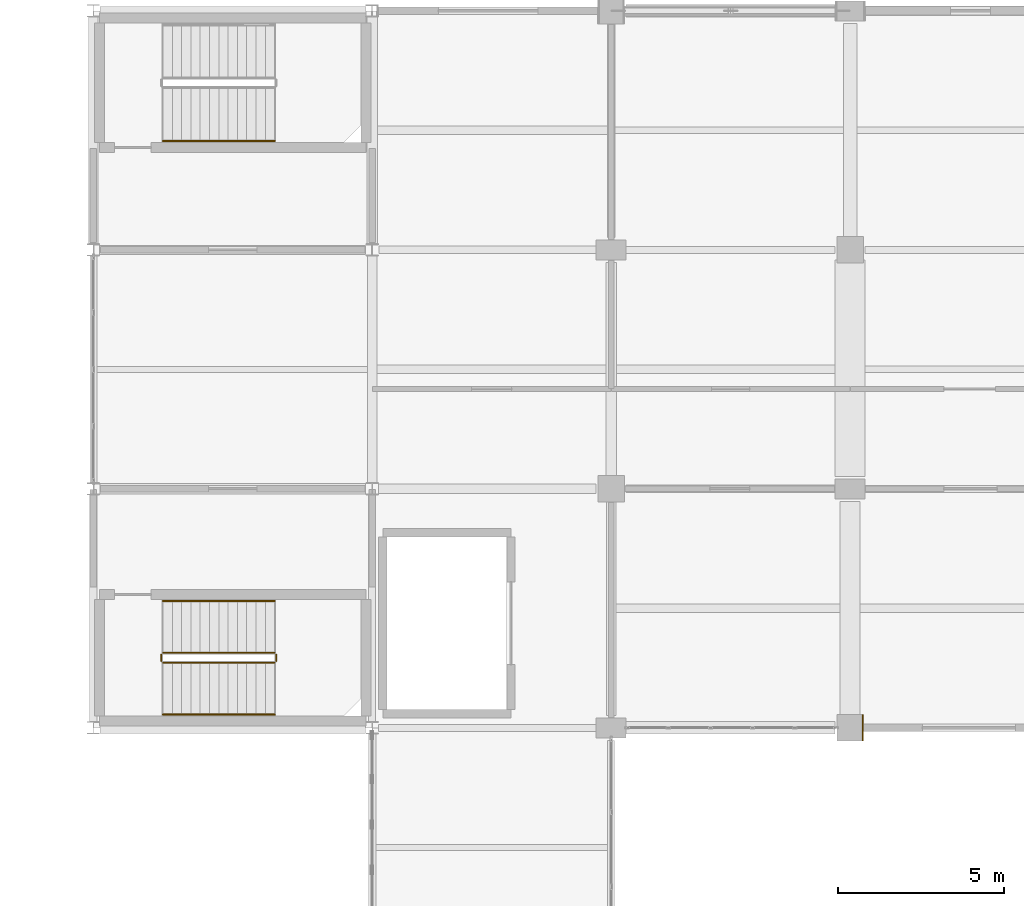
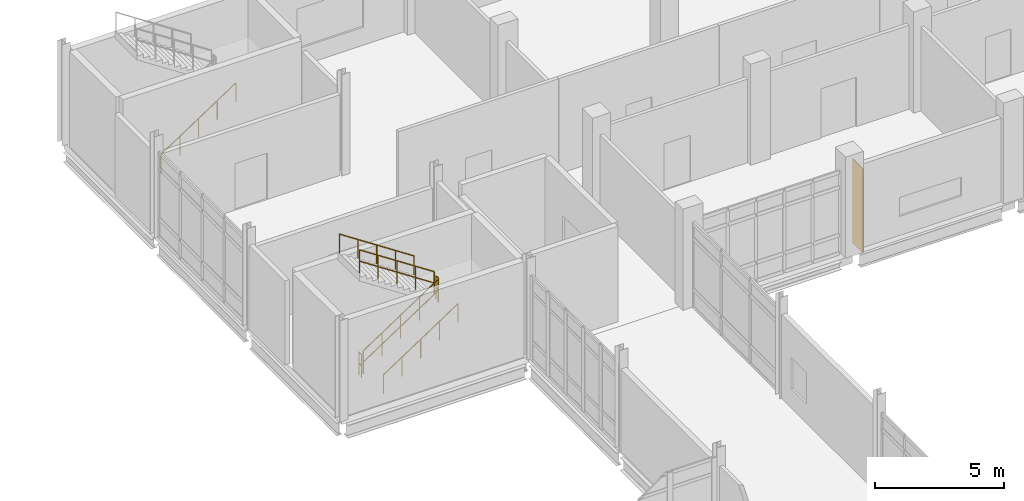
# One storey, part 180 of 186: 7 railings, 1 covering.
"""IFC4 building model written with IfcOpenShell, lengths in metres."""

from ifc_helpers import new_model, si_unit, direction, frame, origin, origin_2d, place, context, subcontext, project, spatial, polyline, circle, outline, extrude, material, layer, layer_set, type_object, element, save


model = new_model("IFC4")

# Units and contexts
model_context = context("Model", 3, precision=1e-05, world=origin(), true_north=direction((0.0, 1.0)))
body_context = subcontext(model_context, "Body", "Model", "MODEL_VIEW")
ifc_project = project(units=[si_unit("LENGTHUNIT", "METRE"), si_unit("AREAUNIT", "SQUARE_METRE"), si_unit("VOLUMEUNIT", "CUBIC_METRE"), si_unit("PLANEANGLEUNIT", "RADIAN"), si_unit("MASSUNIT", "GRAM", prefix="KILO")], contexts=[model_context])

# Site, building, storey
site_placement = place(None, origin())
site = spatial("IfcSite", under=ifc_project, at=site_placement, CompositionType="ELEMENT")
building_placement = place(site_placement, origin())
building = spatial("IfcBuilding", under=site, at=building_placement, Name="Calvrana Isthmian Art Gallery", CompositionType="ELEMENT")
storey_placement = place(building_placement, frame((0.0, 0.0, 5.39990234375)))
storey = spatial("IfcBuildingStorey", under=building, at=storey_placement, Name="L01", CompositionType="ELEMENT", Elevation=5.39990234375)

# Covering
ifc_material_1 = material(Name="Polychrome glazed terracotta", Category="masonry")
ifc_layer = layer(ifc_material_1, 0.0400390625, Name="Polychrome glazed terracotta")
ifc_layer_set = layer_set([ifc_layer], Name="Polychrome glazed terracotta")
covering_type = type_object("IfcCoveringType", Name="COV-CLAD-TERRA", PredefinedType="CLADDING", material=ifc_layer_set)
covering_placement = place(storey_placement, origin())
element("IfcCovering", 1, at=covering_placement, inside=storey, type_object=covering_type, Name="Column pocket weather closure L01-16-10-W", PredefinedType="CLADDING", context=body_context, shape_type="SweptSolid", body=[
    extrude(outline(polyline([(127.56005859375, 76.405029296875), (127.60009765625, 76.405029296875), (127.60009765625, 77.195068359375), (127.56005859375, 77.195068359375), (127.56005859375, 76.405029296875)])), origin(), (0.0, 0.0, 1.0), 3.97119140625),
])

# Railings
ifc_material_2 = material(Name="Stainless steel 316", Category="steel")
railing_type_1 = type_object("IfcRailingType", Name="RL-GUARD-1120", PredefinedType="BALUSTRADE", material=ifc_material_2)
railing_1_placement = place(storey_placement, frame((106.5, 78.760009765625, 0.184814453125)))
element("IfcRailing", 2, at=railing_1_placement, inside=storey, type_object=railing_type_1, Name="Stair ST-5 guard L01-1", PredefinedType="BALUSTRADE", context=body_context, shape_type="SweptSolid", body=[
    extrude(circle(Radius=0.02392578125, at=origin_2d()), frame((0.0, 0.0, 1.09619140625), z_axis=(0.834876476806, 0.0, 0.550437342915), x_axis=(0.0, 1.0, 0.0)), (0.0, 0.0, 1.0), 4.024658203125),
    extrude(circle(Radius=0.02392578125, at=origin_2d()), frame((0.0, 0.0, 0.56005859375), z_axis=(0.834876476806, 0.0, 0.550437342915), x_axis=(0.0, 1.0, 0.0)), (0.0, 0.0, 1.0), 4.024658203125),
    extrude(circle(Radius=0.02099609375, at=origin_2d()), origin(), (0.0, 0.0, 1.0), 1.072021484375),
    extrude(circle(Radius=0.02099609375, at=origin_2d()), frame((0.840087890625, 0.0, 0.5537109375)), (0.0, 0.0, 1.0), 1.072021484375),
    extrude(circle(Radius=0.02099609375, at=origin_2d()), frame((1.68017578125, 0.0, 1.107666015625)), (0.0, 0.0, 1.0), 1.072021484375),
    extrude(circle(Radius=0.02099609375, at=origin_2d()), frame((2.52001953125, 0.0, 1.66162109375)), (0.0, 0.0, 1.0), 1.072021484375),
    extrude(circle(Radius=0.02099609375, at=origin_2d()), frame((3.360107421875, 0.0, 2.21533203125)), (0.0, 0.0, 1.0), 1.072021484375),
])
railing_2_placement = place(storey_placement, frame((109.909912109375, 78.81005859375, 2.400146484375)))
element("IfcRailing", 3, at=railing_2_placement, inside=storey, type_object=railing_type_1, Name="Stair ST-5 guard L01-2", PredefinedType="BALUSTRADE", context=body_context, shape_type="SweptSolid", body=[
    extrude(circle(Radius=0.02392578125, at=origin_2d()), frame((0.0, 0.0, 1.09619140625), z_axis=(0.0, 1.0, 0.0), x_axis=(-1.0, 0.0, 0.0)), (0.0, 0.0, 1.0), 0.199951171875),
    extrude(circle(Radius=0.02392578125, at=origin_2d()), frame((0.0, 0.0, 0.56005859375), z_axis=(0.0, 1.0, 0.0), x_axis=(-1.0, 0.0, 0.0)), (0.0, 0.0, 1.0), 0.199951171875),
    extrude(circle(Radius=0.02099609375, at=origin_2d()), origin(), (0.0, 0.0, 1.0), 1.072021484375),
    extrude(circle(Radius=0.02099609375, at=origin_2d()), frame((0.0, 0.199951171875, 0.0)), (0.0, 0.0, 1.0), 1.072021484375),
])
railing_3_placement = place(storey_placement, frame((109.860107421875, 79.06005859375, 2.584716796875)))
element("IfcRailing", 4, at=railing_3_placement, inside=storey, type_object=railing_type_1, Name="Stair ST-5 guard L01-3", PredefinedType="BALUSTRADE", context=body_context, shape_type="SweptSolid", body=[
    extrude(circle(Radius=0.02392578125, at=origin_2d()), frame((0.0, 0.0, 1.09619140625), z_axis=(-0.834876476806, 0.0, 0.550437342915), x_axis=(0.0, -1.0, 0.0)), (0.0, 0.0, 1.0), 4.024658203125),
    extrude(circle(Radius=0.02392578125, at=origin_2d()), frame((0.0, 0.0, 0.56005859375), z_axis=(-0.834876476806, 0.0, 0.550437342915), x_axis=(0.0, -1.0, 0.0)), (0.0, 0.0, 1.0), 4.024658203125),
    extrude(circle(Radius=0.02099609375, at=origin_2d()), origin(), (0.0, 0.0, 1.0), 1.072021484375),
    extrude(circle(Radius=0.02099609375, at=origin_2d()), frame((-0.840087890625, 0.0, 0.5537109375)), (0.0, 0.0, 1.0), 1.072021484375),
    extrude(circle(Radius=0.02099609375, at=origin_2d()), frame((-1.68017578125, 0.0, 1.107666015625)), (0.0, 0.0, 1.0), 1.072021484375),
    extrude(circle(Radius=0.02099609375, at=origin_2d()), frame((-2.52001953125, 0.0, 1.66162109375)), (0.0, 0.0, 1.0), 1.072021484375),
    extrude(circle(Radius=0.02099609375, at=origin_2d()), frame((-3.360107421875, 0.0, 2.21533203125)), (0.0, 0.0, 1.0), 1.072021484375),
])
railing_4_placement = place(storey_placement, frame((106.449951171875, 78.81005859375, 0.0)))
element("IfcRailing", 5, at=railing_4_placement, inside=storey, type_object=railing_type_1, Name="Stair ST-5 guard L01-4", PredefinedType="BALUSTRADE", context=body_context, shape_type="SweptSolid", body=[
    extrude(circle(Radius=0.02392578125, at=origin_2d()), frame((0.0, 0.0, 1.09619140625), z_axis=(0.0, 1.0, 0.0), x_axis=(-1.0, 0.0, 0.0)), (0.0, 0.0, 1.0), 0.199951171875),
    extrude(circle(Radius=0.02392578125, at=origin_2d()), frame((0.0, 0.0, 0.56005859375), z_axis=(0.0, 1.0, 0.0), x_axis=(-1.0, 0.0, 0.0)), (0.0, 0.0, 1.0), 0.199951171875),
    extrude(circle(Radius=0.02099609375, at=origin_2d()), origin(), (0.0, 0.0, 1.0), 1.072021484375),
    extrude(circle(Radius=0.02099609375, at=origin_2d()), frame((0.0, 0.199951171875, 0.0)), (0.0, 0.0, 1.0), 1.072021484375),
])
railing_type_2 = type_object("IfcRailingType", Name="RL-HAND-920", PredefinedType="HANDRAIL", material=ifc_material_2)
railing_5_placement = place(storey_placement, frame((106.5, 77.199951171875, 0.184814453125)))
element("IfcRailing", 6, at=railing_5_placement, inside=storey, type_object=railing_type_2, Name="Stair ST-5 handrail L01-1", PredefinedType="HANDRAIL", context=body_context, shape_type="SweptSolid", body=[
    extrude(circle(Radius=0.02392578125, at=origin_2d()), frame((0.0, 0.0, 0.89599609375), z_axis=(0.834876476806, 0.0, 0.550437342915), x_axis=(0.0, 1.0, 0.0)), (0.0, 0.0, 1.0), 4.024658203125),
    extrude(circle(Radius=0.02099609375, at=origin_2d()), origin(), (0.0, 0.0, 1.0), 0.871826171875),
    extrude(circle(Radius=0.02099609375, at=origin_2d()), frame((0.840087890625, 0.0, 0.5537109375)), (0.0, 0.0, 1.0), 0.871826171875),
    extrude(circle(Radius=0.02099609375, at=origin_2d()), frame((1.68017578125, 0.0, 1.107666015625)), (0.0, 0.0, 1.0), 0.871826171875),
    extrude(circle(Radius=0.02099609375, at=origin_2d()), frame((2.52001953125, 0.0, 1.66162109375)), (0.0, 0.0, 1.0), 0.871826171875),
    extrude(circle(Radius=0.02099609375, at=origin_2d()), frame((3.360107421875, 0.0, 2.21533203125)), (0.0, 0.0, 1.0), 0.871826171875),
])
railing_6_placement = place(storey_placement, frame((109.860107421875, 80.6201171875, 2.584716796875)))
element("IfcRailing", 7, at=railing_6_placement, inside=storey, type_object=railing_type_2, Name="Stair ST-5 handrail L01-2", PredefinedType="HANDRAIL", context=body_context, shape_type="SweptSolid", body=[
    extrude(circle(Radius=0.02392578125, at=origin_2d()), frame((0.0, 0.0, 0.89599609375), z_axis=(-0.834876476806, 0.0, 0.550437342915), x_axis=(0.0, -1.0, 0.0)), (0.0, 0.0, 1.0), 4.024658203125),
    extrude(circle(Radius=0.02099609375, at=origin_2d()), origin(), (0.0, 0.0, 1.0), 0.871826171875),
    extrude(circle(Radius=0.02099609375, at=origin_2d()), frame((-0.840087890625, 0.0, 0.5537109375)), (0.0, 0.0, 1.0), 0.871826171875),
    extrude(circle(Radius=0.02099609375, at=origin_2d()), frame((-1.68017578125, 0.0, 1.107666015625)), (0.0, 0.0, 1.0), 0.871826171875),
    extrude(circle(Radius=0.02099609375, at=origin_2d()), frame((-2.52001953125, 0.0, 1.66162109375)), (0.0, 0.0, 1.0), 0.871826171875),
    extrude(circle(Radius=0.02099609375, at=origin_2d()), frame((-3.360107421875, 0.0, 2.21533203125)), (0.0, 0.0, 1.0), 0.871826171875),
])
railing_7_placement = place(storey_placement, frame((106.5, 94.47998046875, 0.184814453125)))
element("IfcRailing", 8, at=railing_7_placement, inside=storey, type_object=railing_type_2, Name="Stair ST-8 handrail L01-1", PredefinedType="HANDRAIL", context=body_context, shape_type="SweptSolid", body=[
    extrude(circle(Radius=0.02392578125, at=origin_2d()), frame((0.0, 0.0, 0.89599609375), z_axis=(0.834876476806, 0.0, 0.550437342915), x_axis=(0.0, 1.0, 0.0)), (0.0, 0.0, 1.0), 4.024658203125),
    extrude(circle(Radius=0.02099609375, at=origin_2d()), origin(), (0.0, 0.0, 1.0), 0.871826171875),
    extrude(circle(Radius=0.02099609375, at=origin_2d()), frame((0.840087890625, 0.0, 0.5537109375)), (0.0, 0.0, 1.0), 0.871826171875),
    extrude(circle(Radius=0.02099609375, at=origin_2d()), frame((1.68017578125, 0.0, 1.107666015625)), (0.0, 0.0, 1.0), 0.871826171875),
    extrude(circle(Radius=0.02099609375, at=origin_2d()), frame((2.52001953125, 0.0, 1.66162109375)), (0.0, 0.0, 1.0), 0.871826171875),
    extrude(circle(Radius=0.02099609375, at=origin_2d()), frame((3.360107421875, 0.0, 2.21533203125)), (0.0, 0.0, 1.0), 0.871826171875),
])

save(model, "model.ifc")
